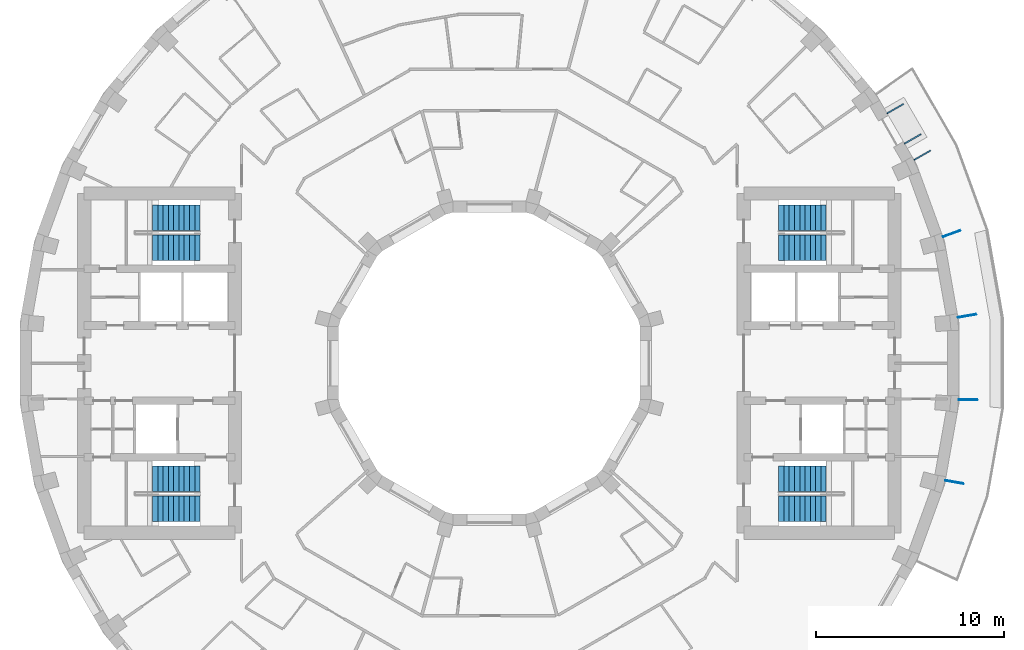
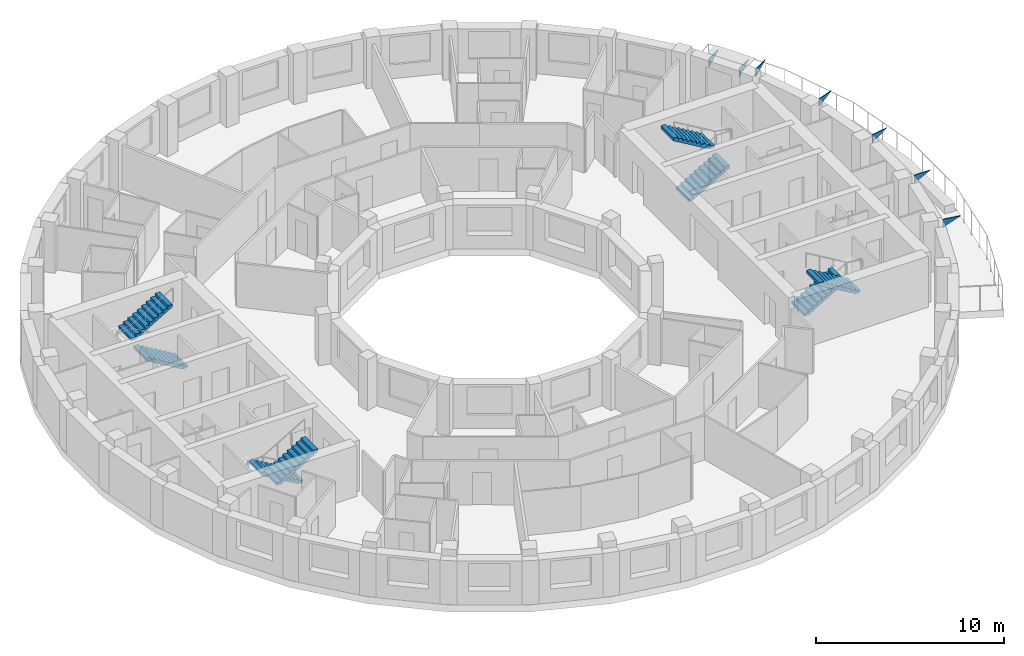
# One storey, part 10 of 11: 8 stair flights, 7 discrete accessories, 4 elements without a shape of their own.
"""IFC4 building model written with IfcOpenShell, lengths in metres."""

from ifc_helpers import new_model, si_unit, direction, frame, origin, place, context, subcontext, project, spatial, polyline, outline, extrude, material, layer, layer_set, type_object, element, aggregate, save


model = new_model("IFC4")

# Units and contexts
model_context = context("Model", 3, precision=1e-05, world=origin(), true_north=direction((0.0, 1.0)))
body_context = subcontext(model_context, "Body", "Model", "MODEL_VIEW")
ifc_project = project(units=[si_unit("LENGTHUNIT", "METRE"), si_unit("AREAUNIT", "SQUARE_METRE"), si_unit("VOLUMEUNIT", "CUBIC_METRE"), si_unit("PLANEANGLEUNIT", "RADIAN"), si_unit("MASSUNIT", "GRAM", prefix="KILO")], contexts=[model_context])

# Site, building, storey
site_placement = place(None, origin())
site = spatial("IfcSite", under=ifc_project, at=site_placement, CompositionType="ELEMENT")
building_placement = place(site_placement, origin())
building = spatial("IfcBuilding", under=site, at=building_placement, Name="Saqina Gate Tower", CompositionType="ELEMENT")
storey_placement = place(building_placement, frame((0.0, 0.0, 183.89990234375)))
storey = spatial("IfcBuildingStorey", under=building, at=storey_placement, Name="L52", CompositionType="ELEMENT", Elevation=183.89990234375)

# Stair, stair flights
ifc_material_1 = material(Name="Concrete C40/50", Category="concrete")
stair_type = type_object("IfcStairType", Name="EXIT STAIR", PredefinedType="HALF_TURN_STAIR", material=ifc_material_1)
stair_1_placement = place(storey_placement, origin())
stair_1 = element("IfcStair", 1, at=stair_1_placement, inside=storey, type_object=stair_type, Name="EXIT STAIR 1", PredefinedType="HALF_TURN_STAIR")
ifc_material_2 = material(Name="Concrete C40/50", Category="concrete")
stair_flight_type = type_object("IfcStairFlightType", Name="EXIT STAIR FLIGHT", PredefinedType="STRAIGHT", material=ifc_material_2)
stair_flight_1_placement = place(storey_placement, frame((15.35009765625, 6.125, 0.0), z_axis=(0.0, 0.0, 1.0), x_axis=(1.0, 0.0, 0.0)))
stair_flight_1 = element("IfcStairFlight", 2, at=stair_flight_1_placement, type_object=stair_flight_type, Name="EXIT STAIR 1 FLIGHT 1", NumberOfRisers=10, NumberOfTreads=9, PredefinedType="STRAIGHT", RiserHeight=0.165, TreadLength=0.28, context=body_context, shape_type="SweptSolid", body=[
    extrude(outline(polyline([(0.0, 0.0), (0.0, 0.1650390625), (0.280029296875, 0.1650390625), (0.280029296875, 0.330078125), (0.56005859375, 0.330078125), (0.56005859375, 0.4951171875), (0.840087890625, 0.4951171875), (0.840087890625, 0.659912109375), (1.1201171875, 0.659912109375), (1.1201171875, 0.824951171875), (1.39990234375, 0.824951171875), (1.39990234375, 0.989990234375), (1.679931640625, 0.989990234375), (1.679931640625, 1.155029296875), (1.9599609375, 1.155029296875), (1.9599609375, 1.320068359375), (2.239990234375, 1.320068359375), (2.239990234375, 1.485107421875), (2.52001953125, 1.485107421875), (2.52001953125, 1.64990234375), (2.52001953125, 1.31103515625), (0.295166015625, 0.0), (0.0, 0.0)])), frame((0.0, 0.675048828125, 0.0), z_axis=(0.0, -1.0, 0.0), x_axis=(1.0, 0.0, 0.0)), (0.0, 0.0, 1.0), 1.35009765625),
])
stair_flight_2_placement = place(storey_placement, frame((17.8701171875, 7.72509765625, 1.650146484375), z_axis=(0.0, 0.0, 1.0), x_axis=(-1.0, 0.0, 0.0)))
stair_flight_2 = element("IfcStairFlight", 3, at=stair_flight_2_placement, type_object=stair_flight_type, Name="EXIT STAIR 1 FLIGHT 2", NumberOfRisers=10, NumberOfTreads=9, PredefinedType="STRAIGHT", RiserHeight=0.165, TreadLength=0.28, context=body_context, shape_type="SweptSolid", body=[
    extrude(outline(polyline([(0.0, 0.0), (0.0, 0.1650390625), (0.280029296875, 0.1650390625), (0.280029296875, 0.330078125), (0.56005859375, 0.330078125), (0.56005859375, 0.4951171875), (0.840087890625, 0.4951171875), (0.840087890625, 0.659912109375), (1.1201171875, 0.659912109375), (1.1201171875, 0.824951171875), (1.39990234375, 0.824951171875), (1.39990234375, 0.989990234375), (1.679931640625, 0.989990234375), (1.679931640625, 1.155029296875), (1.9599609375, 1.155029296875), (1.9599609375, 1.320068359375), (2.239990234375, 1.320068359375), (2.239990234375, 1.485107421875), (2.52001953125, 1.485107421875), (2.52001953125, 1.64990234375), (2.52001953125, 1.31103515625), (0.295166015625, 0.0), (0.0, 0.0)])), frame((0.0, 0.675048828125, 0.0), z_axis=(0.0, -1.0, 0.0), x_axis=(1.0, 0.0, 0.0)), (0.0, 0.0, 1.0), 1.35009765625),
])
aggregate(stair_1, [stair_flight_1, stair_flight_2])

stair_2_placement = place(storey_placement, origin())
stair_2 = element("IfcStair", 4, at=stair_2_placement, inside=storey, type_object=stair_type, Name="EXIT STAIR 2", PredefinedType="HALF_TURN_STAIR")
stair_flight_3_placement = place(storey_placement, frame((15.35009765625, -6.125, 0.0), z_axis=(0.0, 0.0, 1.0), x_axis=(1.0, 0.0, 0.0)))
stair_flight_3 = element("IfcStairFlight", 5, at=stair_flight_3_placement, type_object=stair_flight_type, Name="EXIT STAIR 2 FLIGHT 1", NumberOfRisers=10, NumberOfTreads=9, PredefinedType="STRAIGHT", RiserHeight=0.165, TreadLength=0.28, context=body_context, shape_type="SweptSolid", body=[
    extrude(outline(polyline([(0.0, 0.0), (0.0, 0.1650390625), (0.280029296875, 0.1650390625), (0.280029296875, 0.330078125), (0.56005859375, 0.330078125), (0.56005859375, 0.4951171875), (0.840087890625, 0.4951171875), (0.840087890625, 0.659912109375), (1.1201171875, 0.659912109375), (1.1201171875, 0.824951171875), (1.39990234375, 0.824951171875), (1.39990234375, 0.989990234375), (1.679931640625, 0.989990234375), (1.679931640625, 1.155029296875), (1.9599609375, 1.155029296875), (1.9599609375, 1.320068359375), (2.239990234375, 1.320068359375), (2.239990234375, 1.485107421875), (2.52001953125, 1.485107421875), (2.52001953125, 1.64990234375), (2.52001953125, 1.31103515625), (0.295166015625, 0.0), (0.0, 0.0)])), frame((0.0, 0.675048828125, 0.0), z_axis=(0.0, -1.0, 0.0), x_axis=(1.0, 0.0, 0.0)), (0.0, 0.0, 1.0), 1.35009765625),
])
stair_flight_4_placement = place(storey_placement, frame((17.8701171875, -7.72509765625, 1.650146484375), z_axis=(0.0, 0.0, 1.0), x_axis=(-1.0, 0.0, 0.0)))
stair_flight_4 = element("IfcStairFlight", 6, at=stair_flight_4_placement, type_object=stair_flight_type, Name="EXIT STAIR 2 FLIGHT 2", NumberOfRisers=10, NumberOfTreads=9, PredefinedType="STRAIGHT", RiserHeight=0.165, TreadLength=0.28, context=body_context, shape_type="SweptSolid", body=[
    extrude(outline(polyline([(0.0, 0.0), (0.0, 0.1650390625), (0.280029296875, 0.1650390625), (0.280029296875, 0.330078125), (0.56005859375, 0.330078125), (0.56005859375, 0.4951171875), (0.840087890625, 0.4951171875), (0.840087890625, 0.659912109375), (1.1201171875, 0.659912109375), (1.1201171875, 0.824951171875), (1.39990234375, 0.824951171875), (1.39990234375, 0.989990234375), (1.679931640625, 0.989990234375), (1.679931640625, 1.155029296875), (1.9599609375, 1.155029296875), (1.9599609375, 1.320068359375), (2.239990234375, 1.320068359375), (2.239990234375, 1.485107421875), (2.52001953125, 1.485107421875), (2.52001953125, 1.64990234375), (2.52001953125, 1.31103515625), (0.295166015625, 0.0), (0.0, 0.0)])), frame((0.0, 0.675048828125, 0.0), z_axis=(0.0, -1.0, 0.0), x_axis=(1.0, 0.0, 0.0)), (0.0, 0.0, 1.0), 1.35009765625),
])
aggregate(stair_2, [stair_flight_3, stair_flight_4])

stair_3_placement = place(storey_placement, origin())
stair_3 = element("IfcStair", 7, at=stair_3_placement, inside=storey, type_object=stair_type, Name="EXIT STAIR 3", PredefinedType="HALF_TURN_STAIR")
stair_flight_5_placement = place(storey_placement, frame((-15.35009765625, 6.125, 0.0), z_axis=(0.0, 0.0, 1.0), x_axis=(-1.0, 0.0, 0.0)))
stair_flight_5 = element("IfcStairFlight", 8, at=stair_flight_5_placement, type_object=stair_flight_type, Name="EXIT STAIR 3 FLIGHT 1", NumberOfRisers=10, NumberOfTreads=9, PredefinedType="STRAIGHT", RiserHeight=0.165, TreadLength=0.28, context=body_context, shape_type="SweptSolid", body=[
    extrude(outline(polyline([(0.0, 0.0), (0.0, 0.1650390625), (0.280029296875, 0.1650390625), (0.280029296875, 0.330078125), (0.56005859375, 0.330078125), (0.56005859375, 0.4951171875), (0.840087890625, 0.4951171875), (0.840087890625, 0.659912109375), (1.1201171875, 0.659912109375), (1.1201171875, 0.824951171875), (1.39990234375, 0.824951171875), (1.39990234375, 0.989990234375), (1.679931640625, 0.989990234375), (1.679931640625, 1.155029296875), (1.9599609375, 1.155029296875), (1.9599609375, 1.320068359375), (2.239990234375, 1.320068359375), (2.239990234375, 1.485107421875), (2.52001953125, 1.485107421875), (2.52001953125, 1.64990234375), (2.52001953125, 1.31103515625), (0.295166015625, 0.0), (0.0, 0.0)])), frame((0.0, 0.675048828125, 0.0), z_axis=(0.0, -1.0, 0.0), x_axis=(1.0, 0.0, 0.0)), (0.0, 0.0, 1.0), 1.35009765625),
])
stair_flight_6_placement = place(storey_placement, frame((-17.8701171875, 7.72509765625, 1.650146484375), z_axis=(0.0, 0.0, 1.0), x_axis=(1.0, 0.0, 0.0)))
stair_flight_6 = element("IfcStairFlight", 9, at=stair_flight_6_placement, type_object=stair_flight_type, Name="EXIT STAIR 3 FLIGHT 2", NumberOfRisers=10, NumberOfTreads=9, PredefinedType="STRAIGHT", RiserHeight=0.165, TreadLength=0.28, context=body_context, shape_type="SweptSolid", body=[
    extrude(outline(polyline([(0.0, 0.0), (0.0, 0.1650390625), (0.280029296875, 0.1650390625), (0.280029296875, 0.330078125), (0.56005859375, 0.330078125), (0.56005859375, 0.4951171875), (0.840087890625, 0.4951171875), (0.840087890625, 0.659912109375), (1.1201171875, 0.659912109375), (1.1201171875, 0.824951171875), (1.39990234375, 0.824951171875), (1.39990234375, 0.989990234375), (1.679931640625, 0.989990234375), (1.679931640625, 1.155029296875), (1.9599609375, 1.155029296875), (1.9599609375, 1.320068359375), (2.239990234375, 1.320068359375), (2.239990234375, 1.485107421875), (2.52001953125, 1.485107421875), (2.52001953125, 1.64990234375), (2.52001953125, 1.31103515625), (0.295166015625, 0.0), (0.0, 0.0)])), frame((0.0, 0.675048828125, 0.0), z_axis=(0.0, -1.0, 0.0), x_axis=(1.0, 0.0, 0.0)), (0.0, 0.0, 1.0), 1.35009765625),
])
aggregate(stair_3, [stair_flight_5, stair_flight_6])

stair_4_placement = place(storey_placement, origin())
stair_4 = element("IfcStair", 10, at=stair_4_placement, inside=storey, type_object=stair_type, Name="EXIT STAIR 4", PredefinedType="HALF_TURN_STAIR")
stair_flight_7_placement = place(storey_placement, frame((-15.35009765625, -6.125, 0.0), z_axis=(0.0, 0.0, 1.0), x_axis=(-1.0, 0.0, 0.0)))
stair_flight_7 = element("IfcStairFlight", 11, at=stair_flight_7_placement, type_object=stair_flight_type, Name="EXIT STAIR 4 FLIGHT 1", NumberOfRisers=10, NumberOfTreads=9, PredefinedType="STRAIGHT", RiserHeight=0.165, TreadLength=0.28, context=body_context, shape_type="SweptSolid", body=[
    extrude(outline(polyline([(0.0, 0.0), (0.0, 0.1650390625), (0.280029296875, 0.1650390625), (0.280029296875, 0.330078125), (0.56005859375, 0.330078125), (0.56005859375, 0.4951171875), (0.840087890625, 0.4951171875), (0.840087890625, 0.659912109375), (1.1201171875, 0.659912109375), (1.1201171875, 0.824951171875), (1.39990234375, 0.824951171875), (1.39990234375, 0.989990234375), (1.679931640625, 0.989990234375), (1.679931640625, 1.155029296875), (1.9599609375, 1.155029296875), (1.9599609375, 1.320068359375), (2.239990234375, 1.320068359375), (2.239990234375, 1.485107421875), (2.52001953125, 1.485107421875), (2.52001953125, 1.64990234375), (2.52001953125, 1.31103515625), (0.295166015625, 0.0), (0.0, 0.0)])), frame((0.0, 0.675048828125, 0.0), z_axis=(0.0, -1.0, 0.0), x_axis=(1.0, 0.0, 0.0)), (0.0, 0.0, 1.0), 1.35009765625),
])
stair_flight_8_placement = place(storey_placement, frame((-17.8701171875, -7.72509765625, 1.650146484375), z_axis=(0.0, 0.0, 1.0), x_axis=(1.0, 0.0, 0.0)))
stair_flight_8 = element("IfcStairFlight", 12, at=stair_flight_8_placement, type_object=stair_flight_type, Name="EXIT STAIR 4 FLIGHT 2", NumberOfRisers=10, NumberOfTreads=9, PredefinedType="STRAIGHT", RiserHeight=0.165, TreadLength=0.28, context=body_context, shape_type="SweptSolid", body=[
    extrude(outline(polyline([(0.0, 0.0), (0.0, 0.1650390625), (0.280029296875, 0.1650390625), (0.280029296875, 0.330078125), (0.56005859375, 0.330078125), (0.56005859375, 0.4951171875), (0.840087890625, 0.4951171875), (0.840087890625, 0.659912109375), (1.1201171875, 0.659912109375), (1.1201171875, 0.824951171875), (1.39990234375, 0.824951171875), (1.39990234375, 0.989990234375), (1.679931640625, 0.989990234375), (1.679931640625, 1.155029296875), (1.9599609375, 1.155029296875), (1.9599609375, 1.320068359375), (2.239990234375, 1.320068359375), (2.239990234375, 1.485107421875), (2.52001953125, 1.485107421875), (2.52001953125, 1.64990234375), (2.52001953125, 1.31103515625), (0.295166015625, 0.0), (0.0, 0.0)])), frame((0.0, 0.675048828125, 0.0), z_axis=(0.0, -1.0, 0.0), x_axis=(1.0, 0.0, 0.0)), (0.0, 0.0, 1.0), 1.35009765625),
])
aggregate(stair_4, [stair_flight_7, stair_flight_8])

# Discrete accessories
ifc_material_3 = material(Name="Galvanised steel", Category="steel")
ifc_layer_1 = layer(ifc_material_3, 0.050048828125)
ifc_layer_set_1 = layer_set([ifc_layer_1], Name="BR-AWNING")
discrete_accessory_type_1 = type_object("IfcDiscreteAccessoryType", Name="BR-AWNING", PredefinedType="BRACKET", material=ifc_layer_set_1)
for number, where, z_axis, x_axis, name in (
    (13, (22.018310546875, 11.673095703125, 1.97509765625), (-0.50002537861, 0.866010750942, 0.0), (0.0, 0.0, 1.0), "Awning bracket L52 facet 3"),
    (14, (21.09326171875, 13.27490234375, 1.97509765625), (-0.50002537861, 0.866010750942, 0.0), (0.0, 0.0, 1.0), "Awning bracket L52 facet 3"),
):
    element("IfcDiscreteAccessory", number, at=place(storey_placement, frame(where, z_axis=z_axis, x_axis=x_axis)), inside=storey, type_object=discrete_accessory_type_1, Name=name, PredefinedType="BRACKET", context=body_context, shape_type="SweptSolid", body=[
        extrude(outline(polyline([(0.0, 0.0), (0.550048828125, 0.0), (0.550048828125, 0.9999492453569568), (0.0, 0.0)])), origin(), (0.0, 0.0, -1.0), 0.050048828125),
    ])
ifc_material_4 = material(Name="Galvanised steel", Category="steel")
ifc_layer_2 = layer(ifc_material_4, 0.050048828125)
ifc_layer_set_2 = layer_set([ifc_layer_2], Name="BR-GUSSET")
discrete_accessory_type_2 = type_object("IfcDiscreteAccessoryType", Name="BR-GUSSET", PredefinedType="BRACKET", material=ifc_layer_set_2)
discrete_accessory_1_placement = place(storey_placement, frame((24.19580078125, -6.19970703125, 2.35009765625), z_axis=(0.173576426815, 0.984820401928, 0.0), x_axis=(0.0, 0.0, 1.0)))
element("IfcDiscreteAccessory", 15, at=discrete_accessory_1_placement, inside=storey, type_object=discrete_accessory_type_2, Name="Terrace slab bracket L53 1", PredefinedType="BRACKET", context=body_context, shape_type="SweptSolid", body=[
    extrude(outline(polyline([(0.0, 0.0), (0.5, 0.0), (0.5, 1.000043540245132), (0.0, 0.0)])), origin(), (0.0, 0.0, -1.0), 0.050048828125),
])
discrete_accessory_2_placement = place(storey_placement, frame((24.90478515625, -1.90380859375, 2.35009765625), z_axis=(0.0, 1.0, 0.0), x_axis=(0.0, 0.0, 1.0)))
element("IfcDiscreteAccessory", 16, at=discrete_accessory_2_placement, inside=storey, type_object=discrete_accessory_type_2, Name="Terrace slab bracket L53 2", PredefinedType="BRACKET", context=body_context, shape_type="SweptSolid", body=[
    extrude(outline(polyline([(0.0, 0.0), (0.5, 0.0), (0.5, 1.0), (0.0, 0.0)])), origin(), (0.0, 0.0, -1.0), 0.050048828125),
])
discrete_accessory_3_placement = place(storey_placement, frame((24.857177734375, 2.44970703125, 2.35009765625), z_axis=(-0.173618168668, 0.984813043937, 0.0), x_axis=(0.0, 0.0, 1.0)))
element("IfcDiscreteAccessory", 17, at=discrete_accessory_3_placement, inside=storey, type_object=discrete_accessory_type_2, Name="Terrace slab bracket L53 3", PredefinedType="BRACKET", context=body_context, shape_type="SweptSolid", body=[
    extrude(outline(polyline([(0.0, 0.0), (0.5, 0.0), (0.5, 0.9998031064747768), (0.0, 0.0)])), origin(), (0.0, 0.0, -1.0), 0.050048828125),
])
discrete_accessory_4_placement = place(storey_placement, frame((24.05419921875, 6.72900390625, 2.35009765625), z_axis=(-0.341821477669, 0.939764905391, 0.0), x_axis=(0.0, 0.0, 1.0)))
element("IfcDiscreteAccessory", 18, at=discrete_accessory_4_placement, inside=storey, type_object=discrete_accessory_type_2, Name="Terrace slab bracket L53 4", PredefinedType="BRACKET", context=body_context, shape_type="SweptSolid", body=[
    extrude(outline(polyline([(0.0, 0.0), (0.5, 0.0), (0.5, 0.999928024801219), (0.0, 0.0)])), origin(), (0.0, 0.0, -1.0), 0.050048828125),
])
discrete_accessory_5_placement = place(storey_placement, frame((22.520263671875, 10.8037109375, 2.35009765625), z_axis=(-0.50002537861, 0.866010750942, 0.0), x_axis=(0.0, 0.0, 1.0)))
element("IfcDiscreteAccessory", 19, at=discrete_accessory_5_placement, inside=storey, type_object=discrete_accessory_type_2, Name="Terrace slab bracket L53 5", PredefinedType="BRACKET", context=body_context, shape_type="SweptSolid", body=[
    extrude(outline(polyline([(0.0, 0.0), (0.5, 0.0), (0.5, 0.9999492453569568), (0.0, 0.0)])), origin(), (0.0, 0.0, -1.0), 0.050048828125),
])

save(model, "model.ifc")
